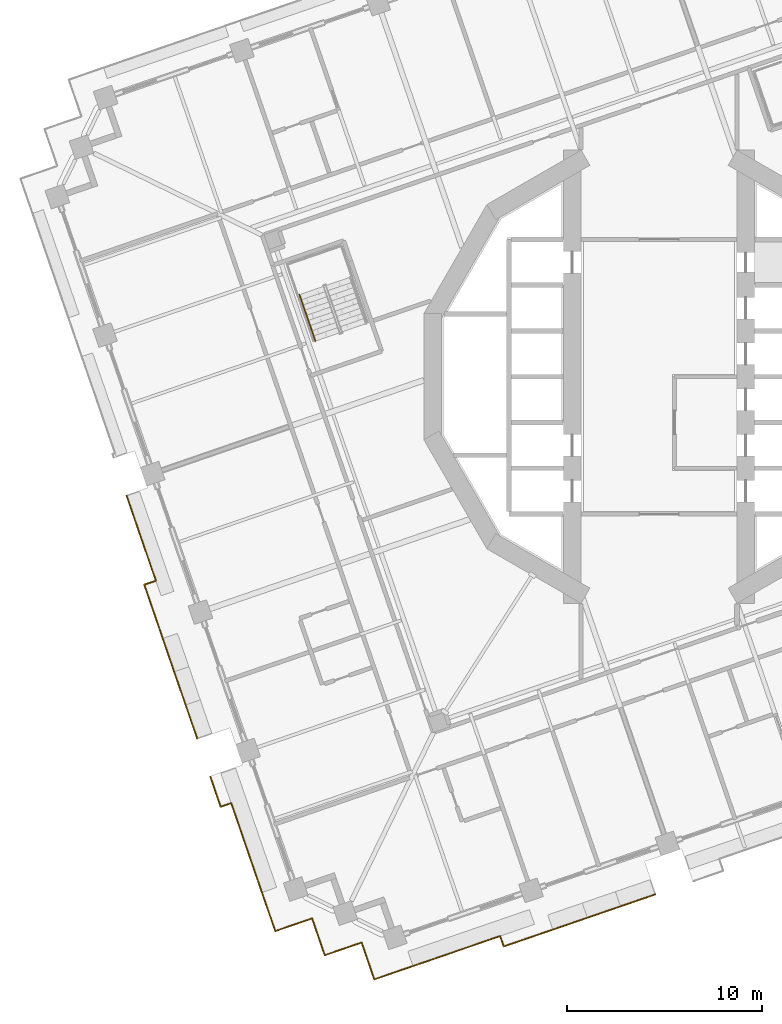
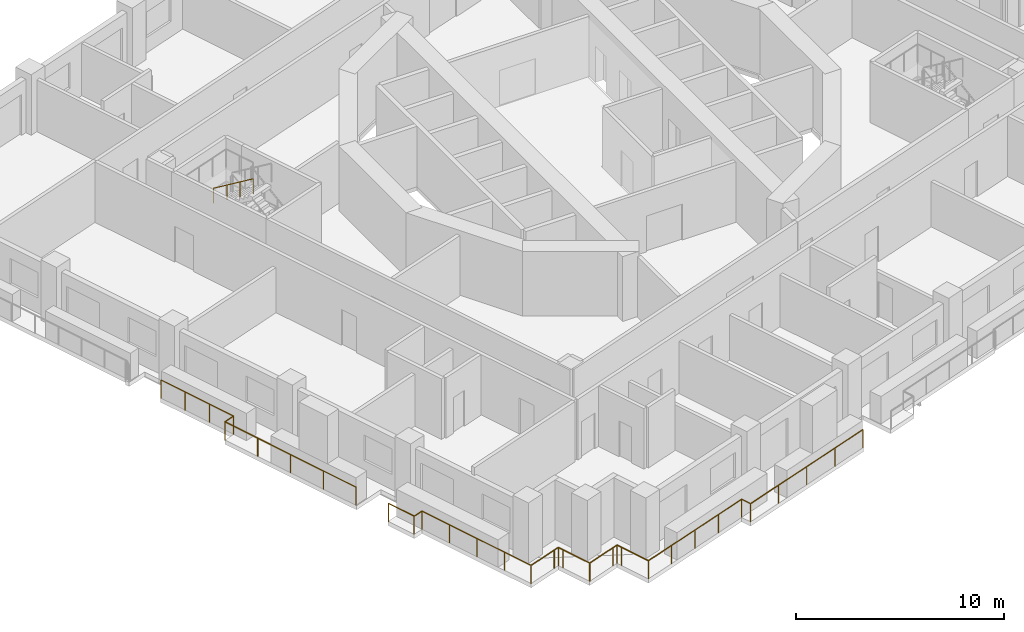
# One storey, part 14 of 19: 5 railings.
"""IFC4 building model written with IfcOpenShell, lengths in metres."""

from ifc_helpers import new_model, si_unit, direction, frame, origin, origin_2d, place, context, subcontext, project, spatial, circle, extrude, material, type_object, element, save


model = new_model("IFC4")

# Units and contexts
model_context = context("Model", 3, precision=1e-05, world=origin(), true_north=direction((0.0, 1.0)))
body_context = subcontext(model_context, "Body", "Model", "MODEL_VIEW")
ifc_project = project(units=[si_unit("LENGTHUNIT", "METRE"), si_unit("AREAUNIT", "SQUARE_METRE"), si_unit("VOLUMEUNIT", "CUBIC_METRE"), si_unit("PLANEANGLEUNIT", "RADIAN"), si_unit("MASSUNIT", "GRAM", prefix="KILO")], contexts=[model_context])

# Site, building, storey
site_placement = place(None, origin())
site = spatial("IfcSite", under=ifc_project, at=site_placement, CompositionType="ELEMENT")
building_placement = place(site_placement, origin())
building = spatial("IfcBuilding", under=site, at=building_placement, Name="Cantera Rosa Tower", CompositionType="ELEMENT")
storey_placement = place(building_placement, frame((0.0, 0.0, 130.699951171875)))
storey = spatial("IfcBuildingStorey", under=building, at=storey_placement, Name="L27", CompositionType="ELEMENT", Elevation=130.699951171875)

# Railings
ifc_material_1 = material(Name="Stainless steel and laminated glass", Category="steel")
railing_type_1 = type_object("IfcRailingType", Name="GUARD 1100", PredefinedType="BALUSTRADE", material=ifc_material_1)
railing_1_placement = place(storey_placement, frame((-18.098388671875, -27.9130859375, 0.0)))
element("IfcRailing", 1, at=railing_1_placement, inside=storey, type_object=railing_type_1, Name="GUARD L27-1", PredefinedType="BALUSTRADE", context=body_context, shape_type="SweptSolid", body=[
    extrude(circle(Radius=0.030029296875, at=origin_2d()), frame((0.0, 0.0, 1.070068359375), z_axis=(-0.945520918819, -0.325561349174, 0.0), x_axis=(0.325561349174, -0.945520918819, 0.0)), (0.0, 0.0, 1.0), 1.699951171875),
    extrude(circle(Radius=0.030029296875, at=origin_2d()), frame((-1.607421875, -0.553466796875, 1.070068359375), z_axis=(-0.325561349174, 0.945520918819, 0.0), x_axis=(-0.945520918819, -0.325561349174, 0.0)), (0.0, 0.0, 1.0), 1.699951171875),
    extrude(circle(Radius=0.030029296875, at=origin_2d()), frame((-2.160888671875, 1.053955078125, 1.070068359375), z_axis=(-0.325547706926, 0.945525616002, 0.0), x_axis=(-0.945525616002, -0.325547706926, 0.0)), (0.0, 0.0, 1.0), 5.248779296875),
    extrude(circle(Radius=0.030029296875, at=origin_2d()), frame((-3.86962890625, 6.016845703125, 1.070068359375), z_axis=(-0.945518182111, -0.325569297229, 0.0), x_axis=(0.325569297229, -0.945518182111, 0.0)), (0.0, 0.0, 1.0), 0.571533203125),
    extrude(circle(Radius=0.030029296875, at=origin_2d()), frame((-4.409912109375, 5.830810546875, 1.070068359375), z_axis=(-0.325495496573, 0.945543590593, 0.0), x_axis=(-0.945543590593, -0.325495496573, 0.0)), (0.0, 0.0, 1.0), 1.64111328125),
    extrude(circle(Radius=0.02490234375, at=origin_2d()), origin(), (0.0, 0.0, 1.0), 1.0400390625),
    extrude(circle(Radius=0.02490234375, at=origin_2d()), frame((-1.607421875, -0.553466796875, 0.0)), (0.0, 0.0, 1.0), 1.0400390625),
    extrude(circle(Radius=0.02490234375, at=origin_2d()), frame((-2.160888671875, 1.053955078125, 0.0)), (0.0, 0.0, 1.0), 1.0400390625),
    extrude(circle(Radius=0.02490234375, at=origin_2d()), frame((-2.73046875, 2.708251953125, 0.0)), (0.0, 0.0, 1.0), 1.0400390625),
    extrude(circle(Radius=0.02490234375, at=origin_2d()), frame((-3.300048828125, 4.362548828125, 0.0)), (0.0, 0.0, 1.0), 1.0400390625),
    extrude(circle(Radius=0.02490234375, at=origin_2d()), frame((-3.86962890625, 6.016845703125, 0.0)), (0.0, 0.0, 1.0), 1.0400390625),
    extrude(circle(Radius=0.02490234375, at=origin_2d()), frame((-4.409912109375, 5.830810546875, 0.0)), (0.0, 0.0, 1.0), 1.0400390625),
    extrude(circle(Radius=0.02490234375, at=origin_2d()), frame((-4.944091796875, 7.382568359375, 0.0)), (0.0, 0.0, 1.0), 1.0400390625),
])
railing_2_placement = place(storey_placement, frame((-0.187255859375, -26.57763671875, 0.0)))
element("IfcRailing", 2, at=railing_2_placement, inside=storey, type_object=railing_type_1, Name="GUARD L27-2", PredefinedType="BALUSTRADE", context=body_context, shape_type="SweptSolid", body=[
    extrude(circle(Radius=0.030029296875, at=origin_2d()), frame((0.0, 0.0, 1.070068359375), z_axis=(-0.945522782274, -0.325555937132, 0.0), x_axis=(0.325555937132, -0.945522782274, 0.0)), (0.0, 0.0, 1.0), 8.238525390625),
    extrude(circle(Radius=0.030029296875, at=origin_2d()), frame((-7.789794921875, -2.68212890625, 1.070068359375), z_axis=(-0.325871596129, 0.945414037782, 0.0), x_axis=(-0.945414037782, -0.325871596129, 0.0)), (0.0, 0.0, 1.0), 0.568603515625),
    extrude(circle(Radius=0.030029296875, at=origin_2d()), frame((-7.97509765625, -2.14453125, 1.070068359375), z_axis=(-0.945515978241, -0.325575697635, 0.0), x_axis=(0.325575697635, -0.945515978241, 0.0)), (0.0, 0.0, 1.0), 5.13134765625),
    extrude(circle(Radius=0.030029296875, at=origin_2d()), frame((-12.826904296875, -3.815185546875, 1.070068359375), z_axis=(-0.945520918819, -0.325561349174, 0.0), x_axis=(0.325561349174, -0.945520918819, 0.0)), (0.0, 0.0, 1.0), 1.699951171875),
    extrude(circle(Radius=0.030029296875, at=origin_2d()), frame((-14.434326171875, -4.36865234375, 1.070068359375), z_axis=(-0.325561349174, 0.945520918819, 0.0), x_axis=(-0.945520918819, -0.325561349174, 0.0)), (0.0, 0.0, 1.0), 1.699951171875),
    extrude(circle(Radius=0.030029296875, at=origin_2d()), frame((-14.98779296875, -2.76123046875, 1.070068359375), z_axis=(-0.325489086777, 0.945545797087, 0.0), x_axis=(-0.945545797087, -0.325489086777, 0.0)), (0.0, 0.0, 1.0), 0.300048828125),
    extrude(circle(Radius=0.030029296875, at=origin_2d()), frame((-15.08544921875, -2.4775390625, 1.070068359375), z_axis=(-0.945459489149, -0.325739703411, 0.0), x_axis=(0.325739703411, -0.945459489149, 0.0)), (0.0, 0.0, 1.0), 0.2998046875),
    extrude(circle(Radius=0.030029296875, at=origin_2d()), frame((-15.368896484375, -2.5751953125, 1.070068359375), z_axis=(-0.945520918819, -0.325561349174, 0.0), x_axis=(0.325561349174, -0.945520918819, 0.0)), (0.0, 0.0, 1.0), 1.699951171875),
    extrude(circle(Radius=0.030029296875, at=origin_2d()), frame((-16.976318359375, -3.128662109375, 1.070068359375), z_axis=(-0.325605561237, 0.945505694584, 0.0), x_axis=(-0.945505694584, -0.325605561237, 0.0)), (0.0, 0.0, 1.0), 1.69970703125),
    extrude(circle(Radius=0.030029296875, at=origin_2d()), frame((-17.52978515625, -1.521484375, 1.070068359375), z_axis=(-0.325489086777, 0.945545797087, 0.0), x_axis=(-0.945545797087, -0.325489086777, 0.0)), (0.0, 0.0, 1.0), 0.300048828125),
    extrude(circle(Radius=0.030029296875, at=origin_2d()), frame((-17.62744140625, -1.23779296875, 1.070068359375), z_axis=(-0.945545797087, -0.325489086777, 0.0), x_axis=(0.325489086777, -0.945545797087, 0.0)), (0.0, 0.0, 1.0), 0.300048828125),
    extrude(circle(Radius=0.02490234375, at=origin_2d()), origin(), (0.0, 0.0, 1.0), 1.0400390625),
    extrude(circle(Radius=0.02490234375, at=origin_2d()), frame((-1.947509765625, -0.67041015625, 0.0)), (0.0, 0.0, 1.0), 1.0400390625),
    extrude(circle(Radius=0.02490234375, at=origin_2d()), frame((-3.89501953125, -1.341064453125, 0.0)), (0.0, 0.0, 1.0), 1.0400390625),
    extrude(circle(Radius=0.02490234375, at=origin_2d()), frame((-5.84228515625, -2.01171875, 0.0)), (0.0, 0.0, 1.0), 1.0400390625),
    extrude(circle(Radius=0.02490234375, at=origin_2d()), frame((-7.789794921875, -2.68212890625, 0.0)), (0.0, 0.0, 1.0), 1.0400390625),
    extrude(circle(Radius=0.02490234375, at=origin_2d()), frame((-7.97509765625, -2.14453125, 0.0)), (0.0, 0.0, 1.0), 1.0400390625),
    extrude(circle(Radius=0.02490234375, at=origin_2d()), frame((-9.59228515625, -2.701416015625, 0.0)), (0.0, 0.0, 1.0), 1.0400390625),
    extrude(circle(Radius=0.02490234375, at=origin_2d()), frame((-11.209716796875, -3.25830078125, 0.0)), (0.0, 0.0, 1.0), 1.0400390625),
    extrude(circle(Radius=0.02490234375, at=origin_2d()), frame((-12.826904296875, -3.815185546875, 0.0)), (0.0, 0.0, 1.0), 1.0400390625),
    extrude(circle(Radius=0.02490234375, at=origin_2d()), frame((-14.434326171875, -4.36865234375, 0.0)), (0.0, 0.0, 1.0), 1.0400390625),
    extrude(circle(Radius=0.02490234375, at=origin_2d()), frame((-14.98779296875, -2.76123046875, 0.0)), (0.0, 0.0, 1.0), 1.0400390625),
    extrude(circle(Radius=0.02490234375, at=origin_2d()), frame((-15.08544921875, -2.4775390625, 0.0)), (0.0, 0.0, 1.0), 1.0400390625),
    extrude(circle(Radius=0.02490234375, at=origin_2d()), frame((-15.368896484375, -2.5751953125, 0.0)), (0.0, 0.0, 1.0), 1.0400390625),
    extrude(circle(Radius=0.02490234375, at=origin_2d()), frame((-16.976318359375, -3.128662109375, 0.0)), (0.0, 0.0, 1.0), 1.0400390625),
    extrude(circle(Radius=0.02490234375, at=origin_2d()), frame((-17.52978515625, -1.521484375, 0.0)), (0.0, 0.0, 1.0), 1.0400390625),
    extrude(circle(Radius=0.02490234375, at=origin_2d()), frame((-17.62744140625, -1.23779296875, 0.0)), (0.0, 0.0, 1.0), 1.0400390625),
    extrude(circle(Radius=0.02490234375, at=origin_2d()), frame((-17.9111328125, -1.33544921875, 0.0)), (0.0, 0.0, 1.0), 1.0400390625),
])
railing_3_placement = place(storey_placement, frame((-25.837158203125, -10.470947265625, 0.0)))
element("IfcRailing", 3, at=railing_3_placement, inside=storey, type_object=railing_type_1, Name="GUARD L27-3", PredefinedType="BALUSTRADE", context=body_context, shape_type="SweptSolid", body=[
    extrude(circle(Radius=0.030029296875, at=origin_2d()), frame((0.0, 0.0, 1.070068359375), z_axis=(-0.325552449264, 0.945523983185, 0.0), x_axis=(-0.945523983185, -0.325552449264, 0.0)), (0.0, 0.0, 1.0), 4.618896484375),
    extrude(circle(Radius=0.02490234375, at=origin_2d()), origin(), (0.0, 0.0, 1.0), 1.0400390625),
    extrude(circle(Radius=0.02490234375, at=origin_2d()), frame((-0.501220703125, 1.455810546875, 0.0)), (0.0, 0.0, 1.0), 1.0400390625),
    extrude(circle(Radius=0.02490234375, at=origin_2d()), frame((-1.00244140625, 2.911376953125, 0.0)), (0.0, 0.0, 1.0), 1.0400390625),
    extrude(circle(Radius=0.02490234375, at=origin_2d()), frame((-1.503662109375, 4.3671875, 0.0)), (0.0, 0.0, 1.0), 1.0400390625),
])
railing_4_placement = place(storey_placement, frame((-23.713134765625, -18.582763671875, 0.0)))
element("IfcRailing", 4, at=railing_4_placement, inside=storey, type_object=railing_type_1, Name="GUARD L27-4", PredefinedType="BALUSTRADE", context=body_context, shape_type="SweptSolid", body=[
    extrude(circle(Radius=0.030029296875, at=origin_2d()), frame((0.0, 0.0, 1.070068359375), z_axis=(-0.325567716601, 0.945518726365, 0.0), x_axis=(-0.945518726365, -0.325567716601, 0.0)), (0.0, 0.0, 1.0), 8.361328125),
    extrude(circle(Radius=0.030029296875, at=origin_2d()), frame((-2.72216796875, 7.90576171875, 1.070068359375), z_axis=(0.945471363195, 0.325705236954, 0.0), x_axis=(-0.325705236954, 0.945471363195, 0.0)), (0.0, 0.0, 1.0), 0.632568359375),
    extrude(circle(Radius=0.02490234375, at=origin_2d()), origin(), (0.0, 0.0, 1.0), 1.0400390625),
    extrude(circle(Radius=0.02490234375, at=origin_2d()), frame((-0.6806640625, 1.9765625, 0.0)), (0.0, 0.0, 1.0), 1.0400390625),
    extrude(circle(Radius=0.02490234375, at=origin_2d()), frame((-1.361083984375, 3.952880859375, 0.0)), (0.0, 0.0, 1.0), 1.0400390625),
    extrude(circle(Radius=0.02490234375, at=origin_2d()), frame((-2.04150390625, 5.92919921875, 0.0)), (0.0, 0.0, 1.0), 1.0400390625),
    extrude(circle(Radius=0.02490234375, at=origin_2d()), frame((-2.72216796875, 7.90576171875, 0.0)), (0.0, 0.0, 1.0), 1.0400390625),
    extrude(circle(Radius=0.02490234375, at=origin_2d()), frame((-2.1240234375, 8.11181640625, 0.0)), (0.0, 0.0, 1.0), 1.0400390625),
])
ifc_material_2 = material(Name="Steel S355J2 (EN 10025-2)", Category="steel")
railing_type_2 = type_object("IfcRailingType", Name="STAIR HANDRAIL 900", PredefinedType="HANDRAIL", material=ifc_material_2)
railing_5_placement = place(storey_placement, frame((-18.46484375, 4.21142578125, 2.090087890625)))
element("IfcRailing", 5, at=railing_5_placement, inside=storey, type_object=railing_type_2, Name="L27 ST-22 stair handrail 2", PredefinedType="HANDRAIL", context=body_context, shape_type="SweptSolid", body=[
    extrude(circle(Radius=0.02392578125, at=origin_2d()), frame((0.0, 0.0, 0.8759765625), z_axis=(0.269432418223, -0.782404165978, 0.561471186323), x_axis=(0.94550776501, 0.325599548996, 0.0)), (0.0, 0.0, 1.0), 3.04541015625),
    extrude(circle(Radius=0.02099609375, at=origin_2d()), origin(), (0.0, 0.0, 1.0), 0.851806640625),
    extrude(circle(Radius=0.02099609375, at=origin_2d()), frame((0.2734375, -0.794189453125, 0.570068359375)), (0.0, 0.0, 1.0), 0.851806640625),
    extrude(circle(Radius=0.02099609375, at=origin_2d()), frame((0.547119140625, -1.588623046875, 1.139892578125)), (0.0, 0.0, 1.0), 0.851806640625),
    extrude(circle(Radius=0.02099609375, at=origin_2d()), frame((0.820556640625, -2.3828125, 1.7099609375)), (0.0, 0.0, 1.0), 0.851806640625),
])

save(model, "model.ifc")
